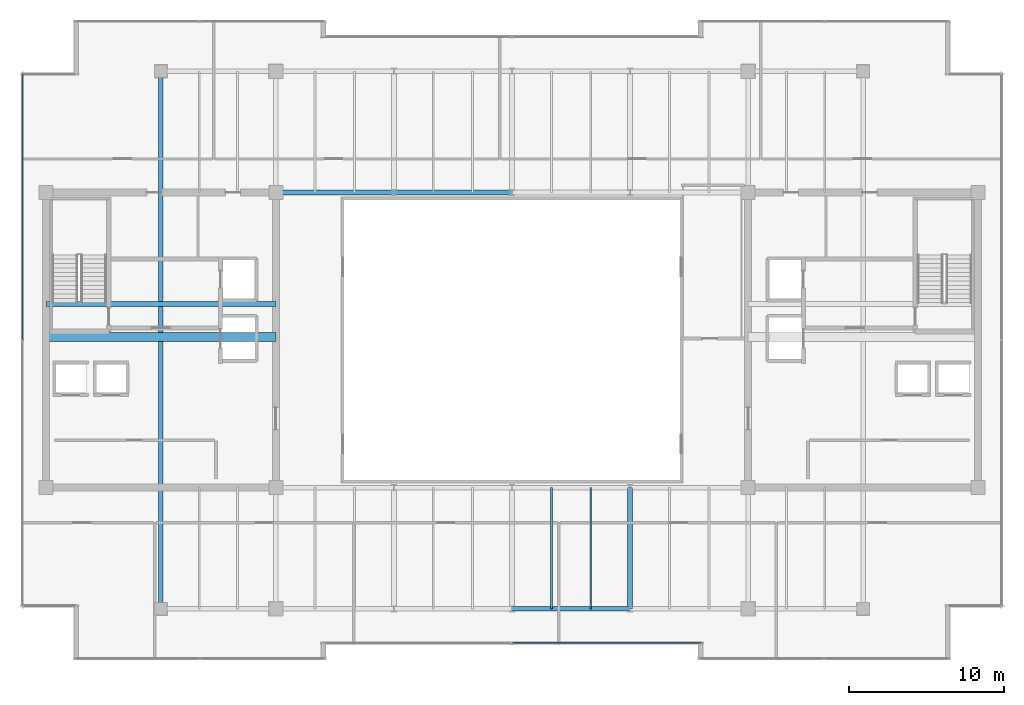
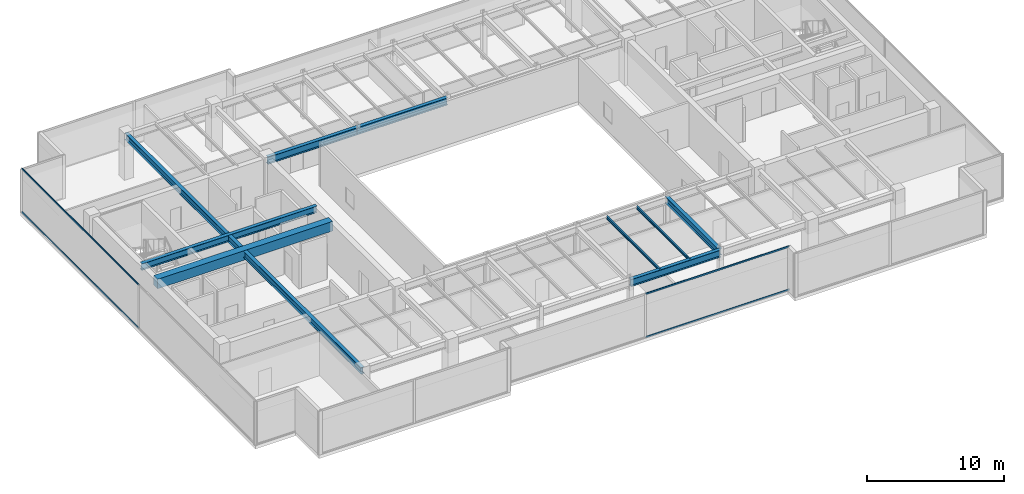
# One storey, part 11 of 34: 9 beams, 4 members, 2 elements without a shape of their own.
"""IFC4 building model written with IfcOpenShell, lengths in metres."""

from ifc_helpers import new_model, si_unit, direction, frame, origin, origin_2d, place, context, subcontext, project, spatial, rectangle, hollow_rectangle, i_section, extrude, source, transform, mapped, material, layer, layer_set, material_profile, profile_set, type_object, type_shapes, element, aggregate, save


model = new_model("IFC4")

# Units and contexts
model_context = context("Model", 3, precision=1e-05, world=origin(), true_north=direction((0.0, 1.0)))
body_context = subcontext(model_context, "Body", "Model", "MODEL_VIEW")
ifc_project = project(units=[si_unit("LENGTHUNIT", "METRE"), si_unit("AREAUNIT", "SQUARE_METRE"), si_unit("VOLUMEUNIT", "CUBIC_METRE"), si_unit("PLANEANGLEUNIT", "RADIAN"), si_unit("MASSUNIT", "GRAM", prefix="KILO")], contexts=[model_context])

# Site, building, storey
site_placement = place(None, origin())
site = spatial("IfcSite", under=ifc_project, at=site_placement, CompositionType="ELEMENT")
building_placement = place(site_placement, origin())
building = spatial("IfcBuilding", under=site, at=building_placement, Name="Haelvirn Gate Laboratories", CompositionType="ELEMENT")
storey_placement = place(building_placement, frame((0.0, 0.0, 322.800048828125)))
storey = spatial("IfcBuildingStorey", under=building, at=storey_placement, Name="L77", CompositionType="ELEMENT", Elevation=322.800048828125)

# Beams
ifc_material_1 = material(Name="Steel SM355", Category="steel")
ifc_material_profile_1 = material_profile(ifc_material_1, i_section(OverallWidth=0.300048828125, OverallDepth=0.587890625, WebThickness=0.011962890625, FlangeThickness=0.02001953125, at=origin_2d()), Name="H-588x300x12x20")
ifc_profile_set_1 = profile_set([ifc_material_profile_1], Name="Steel SM355")
beam_type_1 = type_object("IfcBeamType", Name="BM-G-588", PredefinedType="BEAM", material=ifc_profile_set_1)
shared_shape_1 = source(origin(), body_context, "Body", "SweptSolid", [
    extrude(i_section(OverallWidth=0.300048828125, OverallDepth=0.587890625, WebThickness=0.011962890625, FlangeThickness=0.02001953125, at=origin_2d()), origin(), (0.0, 0.0, 1.0), 14.800048828125),
])
beam_1_placement = place(storey_placement, frame((7.39990234375, 26.6201171875, 3.6259765625), z_axis=(1.0, 0.0, 0.0), x_axis=(0.0, 1.0, 0.0)))
element("IfcBeam", 1, at=beam_1_placement, inside=storey, type_object=beam_type_1, Name="L77 Stair ST1 Landing Header", PredefinedType="BEAM", context=body_context, shape_type="MappedRepresentation", body=[
    mapped(shared_shape_1, transform((0.0, 0.0, 0.0), scale=1.0)),
])
shared_shape_2 = source(origin(), body_context, "Body", "SweptSolid", [
    extrude(i_section(OverallWidth=0.300048828125, OverallDepth=0.587890625, WebThickness=0.011962890625, FlangeThickness=0.02001953125, at=origin_2d()), origin(), (0.0, 0.0, 1.0), 34.60009765625),
])
beam_2_placement = place(storey_placement, frame((14.800048828125, 7.0, 3.6259765625), z_axis=(0.0, 1.0, 0.0), x_axis=(-1.0, 0.0, 0.0)))
element("IfcBeam", 2, at=beam_2_placement, inside=storey, type_object=beam_type_1, Name="L77 Frame Girder X14.8 (7.0-41.6)", PredefinedType="BEAM", context=body_context, shape_type="MappedRepresentation", body=[
    mapped(shared_shape_2, transform((0.0, 0.0, 0.0), scale=1.0)),
])
shared_shape_3 = source(origin(), body_context, "Body", "SweptSolid", [
    extrude(i_section(OverallWidth=0.300048828125, OverallDepth=0.587890625, WebThickness=0.011962890625, FlangeThickness=0.02001953125, at=origin_2d()), origin(), (0.0, 0.0, 1.0), 7.800048828125),
])
type_shapes(beam_type_1, [shared_shape_1, shared_shape_2, shared_shape_3])
beam_3_placement = place(storey_placement, frame((45.0, 7.0, 3.6259765625), z_axis=(0.0, 1.0, 0.0), x_axis=(-1.0, 0.0, 0.0)))
element("IfcBeam", 3, at=beam_3_placement, inside=storey, type_object=beam_type_1, Name="L77 Frame Girder X45.0 (7.0-14.8)", PredefinedType="BEAM", context=body_context, shape_type="MappedRepresentation", body=[
    mapped(shared_shape_3, transform((0.0, 0.0, 0.0), scale=1.0)),
])
ifc_material_2 = material(Name="Concrete C50/60", Category="concrete")
ifc_material_profile_2 = material_profile(ifc_material_2, rectangle(XDim=0.60009765625, YDim=0.85009765625, at=origin_2d()), Name="RCB-600x850")
ifc_profile_set_2 = profile_set([ifc_material_profile_2], Name="Concrete C50/60")
beam_type_2 = type_object("IfcBeamType", Name="BM-RCB-850", PredefinedType="LINTEL", material=ifc_profile_set_2)
shared_shape_4 = source(origin(), body_context, "Body", "SweptSolid", [
    extrude(rectangle(XDim=0.60009765625, YDim=0.85009765625, at=origin_2d()), origin(), (0.0, 0.0, 1.0), 14.800048828125),
])
type_shapes(beam_type_2, [shared_shape_4])
beam_4_placement = place(storey_placement, frame((7.39990234375, 24.5, 3.494873046875), z_axis=(1.0, 0.0, 0.0), x_axis=(0.0, 1.0, 0.0)))
element("IfcBeam", 4, at=beam_4_placement, inside=storey, type_object=beam_type_2, Name="L77 West Core Coupling Beam", PredefinedType="LINTEL", context=body_context, shape_type="MappedRepresentation", body=[
    mapped(shared_shape_4, transform((0.0, 0.0, 0.0), scale=1.0)),
])
ifc_material_profile_3 = material_profile(ifc_material_1, i_section(OverallWidth=0.300048828125, OverallDepth=0.64990234375, WebThickness=0.012939453125, FlangeThickness=0.02197265625, at=origin_2d()), Name="H-650x300x13x22")
ifc_profile_set_3 = profile_set([ifc_material_profile_3], Name="Steel SM355")
beam_type_3 = type_object("IfcBeamType", Name="BM-G-650", PredefinedType="BEAM", material=ifc_profile_set_3)
shared_shape_5 = source(origin(), body_context, "Body", "SweptSolid", [
    extrude(i_section(OverallWidth=0.300048828125, OverallDepth=0.64990234375, WebThickness=0.012939453125, FlangeThickness=0.02197265625, at=origin_2d()), origin(), (0.0, 0.0, 1.0), 7.60009765625),
])
for number, where, z_axis, x_axis, name in (
    (5, (37.39990234375, 7.0, 3.594970703125), (1.0, 0.0, 0.0), (0.0, 1.0, 0.0), "L77 Primary Girder Y7.0 (37.4-45.0)"),
    (6, (22.199951171875, 33.800048828125, 3.594970703125), (1.0, 0.0, 0.0), (0.0, 1.0, 0.0), "L77 Primary Girder Y33.8 (22.2-29.8)"),
):
    element("IfcBeam", number, at=place(storey_placement, frame(where, z_axis=z_axis, x_axis=x_axis)), inside=storey, type_object=beam_type_3, Name=name, PredefinedType="BEAM", context=body_context, shape_type="MappedRepresentation", body=[
        mapped(shared_shape_5, transform((0.0, 0.0, 0.0), scale=1.0)),
    ])
shared_shape_6 = source(origin(), body_context, "Body", "SweptSolid", [
    extrude(i_section(OverallWidth=0.300048828125, OverallDepth=0.64990234375, WebThickness=0.012939453125, FlangeThickness=0.02197265625, at=origin_2d()), origin(), (0.0, 0.0, 1.0), 7.599853515625),
])
type_shapes(beam_type_3, [shared_shape_5, shared_shape_6])
beam_5_placement = place(storey_placement, frame((29.800048828125, 33.800048828125, 3.594970703125), z_axis=(1.0, 0.0, 0.0), x_axis=(0.0, 1.0, 0.0)))
element("IfcBeam", 7, at=beam_5_placement, inside=storey, type_object=beam_type_3, Name="L77 Primary Girder Y33.8 (29.8-37.4)", PredefinedType="BEAM", context=body_context, shape_type="MappedRepresentation", body=[
    mapped(shared_shape_6, transform((0.0, 0.0, 0.0), scale=1.0)),
])
ifc_material_profile_4 = material_profile(ifc_material_1, i_section(OverallWidth=0.125, OverallDepth=0.25, WebThickness=0.006103515625, FlangeThickness=0.009033203125, at=origin_2d()), Name="H-250x125x6x9")
ifc_profile_set_4 = profile_set([ifc_material_profile_4], Name="Steel SM355")
beam_type_4 = type_object("IfcBeamType", Name="BM-J-250", PredefinedType="JOIST", material=ifc_profile_set_4)
shared_shape_7 = source(origin(), body_context, "Body", "SweptSolid", [
    extrude(i_section(OverallWidth=0.125, OverallDepth=0.25, WebThickness=0.006103515625, FlangeThickness=0.009033203125, at=origin_2d()), origin(), (0.0, 0.0, 1.0), 7.800048828125),
])
type_shapes(beam_type_4, [shared_shape_7])
for number, where, z_axis, x_axis, name in (
    (8, (39.929931640625, 7.0, 3.794921875), (0.0, 1.0, 0.0), (-1.0, 0.0, 0.0), "L77 Composite Lab Joist South X39.93"),
    (9, (42.469970703125, 7.0, 3.794921875), (0.0, 1.0, 0.0), (-1.0, 0.0, 0.0), "L77 Composite Lab Joist South X42.47"),
):
    element("IfcBeam", number, at=place(storey_placement, frame(where, z_axis=z_axis, x_axis=x_axis)), inside=storey, type_object=beam_type_4, Name=name, PredefinedType="JOIST", context=body_context, shape_type="MappedRepresentation", body=[
        mapped(shared_shape_7, transform((0.0, 0.0, 0.0), scale=1.0)),
    ])

# Curtain wall, members
ifc_material_3 = material(Name="Anodised bronze unitised aluminium & triple low-E glass", Category="aluminium")
ifc_layer = layer(ifc_material_3, 0.176025390625, Name="CW-SYS-4")
ifc_layer_set = layer_set([ifc_layer], Name="Anodised bronze unitised aluminium & triple low-E glass")
curtain_wall_type = type_object("IfcCurtainWallType", Name="CW-SYS-4", PredefinedType="NOTDEFINED", material=ifc_layer_set)
curtain_wall_1_placement = place(storey_placement, origin())
curtain_wall_1 = element("IfcCurtainWall", 10, at=curtain_wall_1_placement, inside=storey, type_object=curtain_wall_type, Name="L77 Unitised Curtain Wall CW-L77-P0-E02-1", PredefinedType="NOTDEFINED")
ifc_material_4 = material(Name="Extruded aluminium 6063-T6 (anodised bronze)", Category="aluminium")
ifc_material_profile_5 = material_profile(ifc_material_4, hollow_rectangle(XDim=0.06494140625, YDim=0.139892578125, WallThickness=0.00390625, at=origin_2d()), Name="CWT-140x65x4")
ifc_profile_set_5 = profile_set([ifc_material_profile_5], Name="Extruded aluminium 6063-T6 (anodised bronze)")
member_type = type_object("IfcMemberType", Name="CWT-T140", PredefinedType="USERDEFINED", material=ifc_profile_set_5)
shared_shape_8 = source(origin(), body_context, "Body", "SweptSolid", [
    extrude(hollow_rectangle(XDim=0.06494140625, YDim=0.139892578125, WallThickness=0.00390625, at=origin_2d()), origin(), (0.0, 0.0, 1.0), 12.135009765625),
])
member_1_placement = place(storey_placement, frame((37.43505859375, 4.800048828125, 0.032470703125), z_axis=(1.0, 0.0, 0.0), x_axis=(0.0, 1.0, 0.0)))
member_1 = element("IfcMember", 11, at=member_1_placement, type_object=member_type, Name="CW4 transom 2.1", ObjectType="TRANSOM", PredefinedType="USERDEFINED", context=body_context, shape_type="MappedRepresentation", body=[
    mapped(shared_shape_8, transform((0.0, 0.0, 0.0), scale=1.0)),
])
member_2_placement = place(storey_placement, frame((37.43505859375, 4.800048828125, 3.887451171875), z_axis=(1.0, 0.0, 0.0), x_axis=(0.0, 1.0, 0.0)))
member_2 = element("IfcMember", 12, at=member_2_placement, type_object=member_type, Name="CW4 transom 2.2", ObjectType="TRANSOM", PredefinedType="USERDEFINED", context=body_context, shape_type="MappedRepresentation", body=[
    mapped(shared_shape_8, transform((0.0, 0.0, 0.0), scale=1.0)),
])
aggregate(curtain_wall_1, [member_1, member_2])

curtain_wall_2_placement = place(storey_placement, origin())
curtain_wall_2 = element("IfcCurtainWall", 13, at=curtain_wall_2_placement, inside=storey, type_object=curtain_wall_type, Name="L77 Unitised Curtain Wall CW-L77-P0-E17", PredefinedType="NOTDEFINED")
shared_shape_9 = source(origin(), body_context, "Body", "SweptSolid", [
    extrude(hollow_rectangle(XDim=0.06494140625, YDim=0.139892578125, WallThickness=0.00390625, at=origin_2d()), origin(), (0.0, 0.0, 1.0), 17.094970703125),
])
type_shapes(member_type, [shared_shape_8, shared_shape_9])
member_3_placement = place(storey_placement, frame((5.89990234375, 41.429931640625, 0.032470703125), z_axis=(0.0, -1.0, 0.0), x_axis=(1.0, 0.0, 0.0)))
member_3 = element("IfcMember", 14, at=member_3_placement, type_object=member_type, Name="CW4 transom 1.1", ObjectType="TRANSOM", PredefinedType="USERDEFINED", context=body_context, shape_type="MappedRepresentation", body=[
    mapped(shared_shape_9, transform((0.0, 0.0, 0.0), scale=1.0)),
])
member_4_placement = place(storey_placement, frame((5.89990234375, 41.429931640625, 3.887451171875), z_axis=(0.0, -1.0, 0.0), x_axis=(1.0, 0.0, 0.0)))
member_4 = element("IfcMember", 15, at=member_4_placement, type_object=member_type, Name="CW4 transom 1.2", ObjectType="TRANSOM", PredefinedType="USERDEFINED", context=body_context, shape_type="MappedRepresentation", body=[
    mapped(shared_shape_9, transform((0.0, 0.0, 0.0), scale=1.0)),
])
aggregate(curtain_wall_2, [member_3, member_4])

save(model, "model.ifc")
